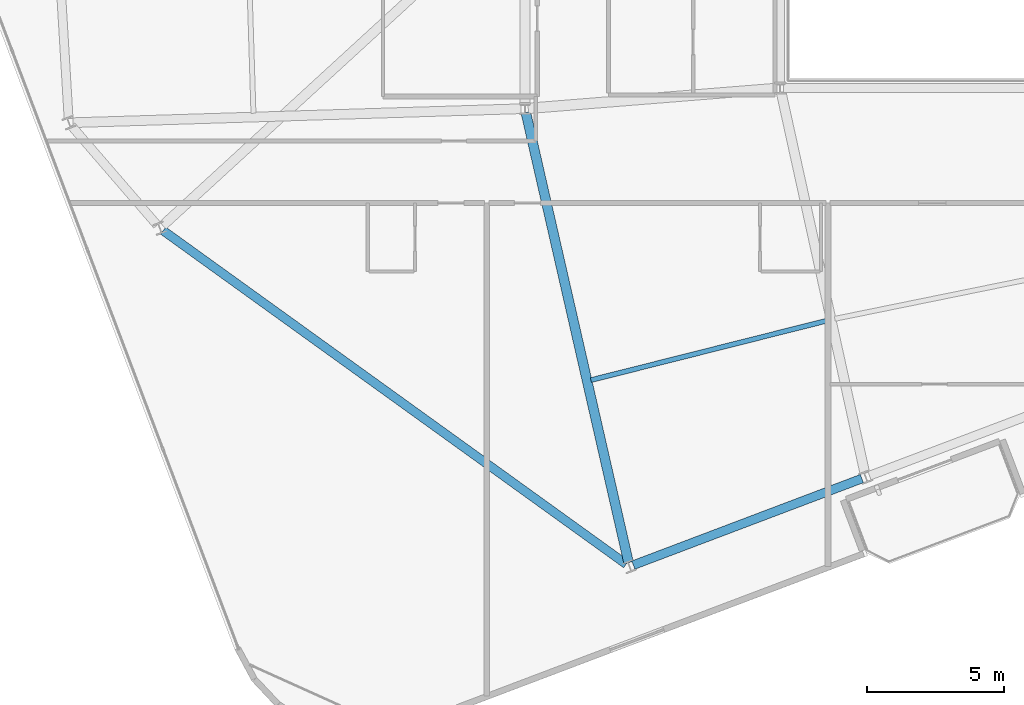
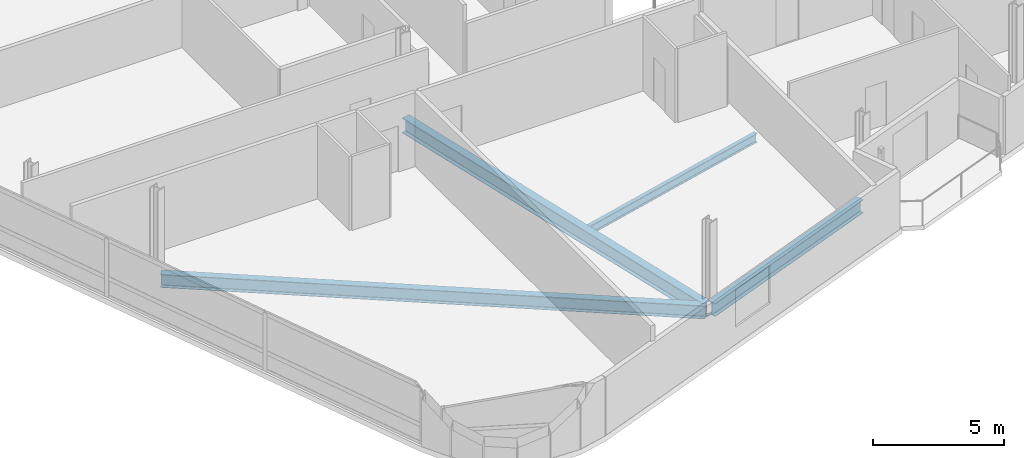
# One storey, part 6 of 23: 4 beams.
"""IFC4 building model written with IfcOpenShell, lengths in metres."""

from ifc_helpers import new_model, si_unit, direction, frame, origin, origin_2d, place, context, subcontext, project, spatial, i_section, extrude, material, material_profile, profile_set, type_object, element, save


model = new_model("IFC4")

# Units and contexts
model_context = context("Model", 3, precision=1e-05, world=origin(), true_north=direction((0.0, 1.0)))
body_context = subcontext(model_context, "Body", "Model", "MODEL_VIEW")
ifc_project = project(units=[si_unit("LENGTHUNIT", "METRE"), si_unit("AREAUNIT", "SQUARE_METRE"), si_unit("VOLUMEUNIT", "CUBIC_METRE"), si_unit("PLANEANGLEUNIT", "RADIAN"), si_unit("MASSUNIT", "GRAM", prefix="KILO")], contexts=[model_context])

# Site, building, storey
site_placement = place(None, origin())
site = spatial("IfcSite", under=ifc_project, at=site_placement, CompositionType="ELEMENT")
building_placement = place(site_placement, origin())
building = spatial("IfcBuilding", under=site, at=building_placement, Name="Varnelok Gate Tower", CompositionType="ELEMENT")
storey_placement = place(building_placement, frame((0.0, 0.0, 227.5)))
storey = spatial("IfcBuildingStorey", under=building, at=storey_placement, Name="L58", CompositionType="ELEMENT", Elevation=227.5)

# Beams
ifc_material = material(Name="Structural Steel ASTM A992 Grade 50", Category="steel")
ifc_material_profile_1 = material_profile(ifc_material, i_section(OverallWidth=0.180908203125, OverallDepth=0.4169921875, WebThickness=0.010986328125, FlangeThickness=0.018310546875, FilletRadius=0.013916015625, at=origin_2d()), Name="W16X57")
ifc_profile_set_1 = profile_set([ifc_material_profile_1], Name="Structural Steel ASTM A992 Grade 50")
beam_type_1 = type_object("IfcBeamType", Name="BM-JST-W16X57", PredefinedType="JOIST", material=ifc_profile_set_1)
beam_1_placement = place(storey_placement, frame((26.81396484375, 8.85498046875, -0.45849609375), z_axis=(0.969661559302, 0.244451345695, 0.0), x_axis=(-0.244451345695, 0.969661559302, 0.0)))
element("IfcBeam", 1, at=beam_1_placement, inside=storey, type_object=beam_type_1, Name="L58 Sector Floor Joist 1", PredefinedType="JOIST", context=body_context, shape_type="SweptSolid", body=[
    extrude(i_section(OverallWidth=0.180908203125, OverallDepth=0.4169921875, WebThickness=0.010986328125, FlangeThickness=0.018310546875, FilletRadius=0.013916015625, at=origin_2d()), origin(), (0.0, 0.0, 1.0), 8.93359375),
])
ifc_material_profile_2 = material_profile(ifc_material, i_section(OverallWidth=0.35498046875, OverallDepth=0.696044921875, WebThickness=0.015380859375, FlangeThickness=0.02490234375, FilletRadius=0.02001953125, at=origin_2d()), Name="W27X146")
ifc_profile_set_2 = profile_set([ifc_material_profile_2], Name="Structural Steel ASTM A992 Grade 50")
beam_type_2 = type_object("IfcBeamType", Name="BM-PRI-W27X146", PredefinedType="BEAM", material=ifc_profile_set_2)
beam_2_placement = place(storey_placement, frame((24.433349609375, 18.65380859375, -0.597900390625), z_axis=(0.222569880735, -0.974916739106, 0.0), x_axis=(0.974916739106, 0.222569880735, 0.0)))
element("IfcBeam", 2, at=beam_2_placement, inside=storey, type_object=beam_type_2, Name="L58 Radial Floor Girder 1", PredefinedType="BEAM", context=body_context, shape_type="SweptSolid", body=[
    extrude(i_section(OverallWidth=0.35498046875, OverallDepth=0.696044921875, WebThickness=0.015380859375, FlangeThickness=0.02490234375, FilletRadius=0.02001953125, at=origin_2d()), origin(), (0.0, 0.0, 1.0), 16.903564453125),
])
ifc_material_profile_3 = material_profile(ifc_material, i_section(OverallWidth=0.323974609375, OverallDepth=0.611083984375, WebThickness=0.0126953125, FlangeThickness=0.01904296875, FilletRadius=0.01806640625, at=origin_2d()), Name="W24X104")
ifc_profile_set_3 = profile_set([ifc_material_profile_3], Name="Structural Steel ASTM A992 Grade 50")
beam_type_3 = type_object("IfcBeamType", Name="BM-SPN-W24X104", PredefinedType="SPANDREL", material=ifc_profile_set_3)
beam_3_placement = place(storey_placement, frame((28.369384765625, 2.081298828125, -0.555419921875), z_axis=(0.935225969099, 0.354051389947, 0.0), x_axis=(-0.354051389947, 0.935225969099, 0.0)))
element("IfcBeam", 3, at=beam_3_placement, inside=storey, type_object=beam_type_3, Name="L58 Perimeter Spandrel Beam 1", PredefinedType="SPANDREL", context=body_context, shape_type="SweptSolid", body=[
    extrude(i_section(OverallWidth=0.323974609375, OverallDepth=0.611083984375, WebThickness=0.0126953125, FlangeThickness=0.01904296875, FilletRadius=0.01806640625, at=origin_2d()), origin(), (0.0, 0.0, 1.0), 8.949951171875),
])
beam_4_placement = place(storey_placement, frame((11.148681640625, 14.33251953125, -0.555419921875), z_axis=(0.811386760244, -0.584509645173, 0.0), x_axis=(0.584509645173, 0.811386760244, 0.0)))
element("IfcBeam", 4, at=beam_4_placement, inside=storey, type_object=beam_type_3, Name="L58 Perimeter Spandrel Beam 16", PredefinedType="SPANDREL", context=body_context, shape_type="SweptSolid", body=[
    extrude(i_section(OverallWidth=0.323974609375, OverallDepth=0.611083984375, WebThickness=0.0126953125, FlangeThickness=0.01904296875, FilletRadius=0.01806640625, at=origin_2d()), origin(), (0.0, 0.0, 1.0), 20.90087890625),
])

save(model, "model.ifc")
